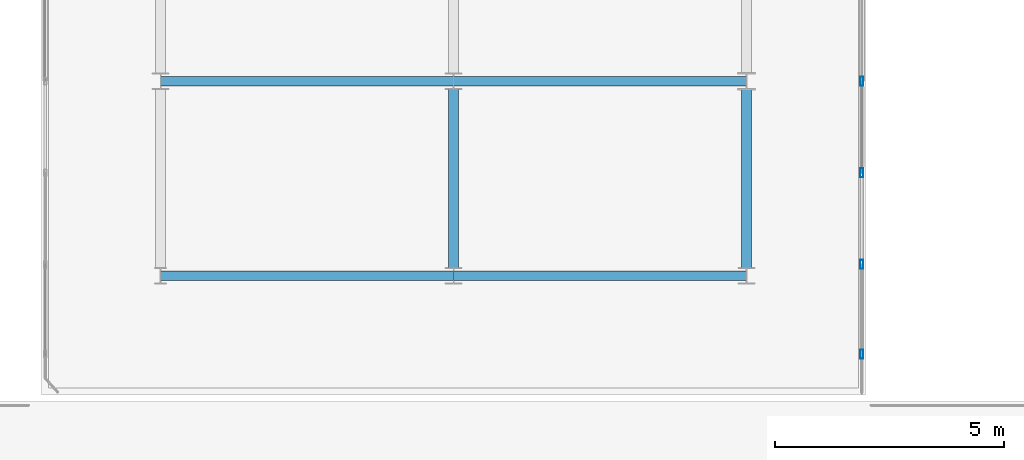
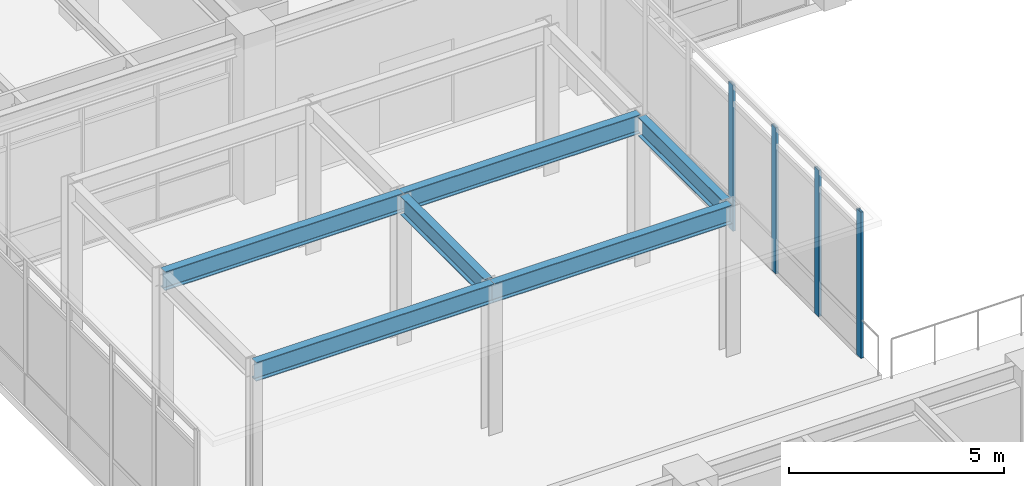
# One storey, part 85 of 200: 6 beams, 4 members, 1 element without a shape of its own.
"""IFC4 building model written with IfcOpenShell, lengths in metres."""

from ifc_helpers import new_model, si_unit, direction, frame, origin, origin_2d, place, context, subcontext, project, spatial, hollow_rectangle, i_section, extrude, material, material_profile, profile_set, type_object, element, aggregate, save


model = new_model("IFC4")

# Units and contexts
model_context = context("Model", 3, precision=1e-05, world=origin(), true_north=direction((0.0, 1.0)))
body_context = subcontext(model_context, "Body", "Model", "MODEL_VIEW")
ifc_project = project(units=[si_unit("LENGTHUNIT", "METRE"), si_unit("AREAUNIT", "SQUARE_METRE"), si_unit("VOLUMEUNIT", "CUBIC_METRE"), si_unit("PLANEANGLEUNIT", "RADIAN"), si_unit("MASSUNIT", "GRAM", prefix="KILO"), si_unit("THERMODYNAMICTEMPERATUREUNIT", "KELVIN"), si_unit("POWERUNIT", "WATT")], contexts=[model_context])

# Site, building, storey
site_placement = place(None, origin())
site = spatial("IfcSite", under=ifc_project, at=site_placement, CompositionType="ELEMENT")
building_placement = place(site_placement, origin())
building = spatial("IfcBuilding", under=site, at=building_placement, Name="Tepalcoro Natatorium and Aquatics Centre", CompositionType="ELEMENT")
storey_placement = place(building_placement, frame((0.0, 0.0, 5.39990234375)))
storey = spatial("IfcBuildingStorey", under=building, at=storey_placement, Name="L01", CompositionType="ELEMENT", Elevation=5.39990234375)

# Beams
ifc_material_1 = material(Name="Steel ASTM A992 Grade 50 (Fy 345 MPa)", Category="steel")
ifc_material_profile_1 = material_profile(ifc_material_1, i_section(OverallWidth=0.2109375, OverallDepth=0.5380859375, WebThickness=0.011962890625, FlangeThickness=0.01904296875, FilletRadius=0.013916015625, at=origin_2d()), Name="W21X73")
ifc_profile_set_1 = profile_set([ifc_material_profile_1], Name="Steel ASTM A992 Grade 50 (Fy 345 MPa)")
beam_type = type_object("IfcBeamType", Name="BM_LINK_LB1", PredefinedType="BEAM", material=ifc_profile_set_1)
for number, where, z_axis, x_axis, name in (
    (1, (109.60009765625, 74.75, 3.9560546875), (1.0, 0.0, 0.0), (0.0, 1.0, 0.0), "Seismic passage link beam LB1 (V6NE L01)"),
    (2, (116.0, 74.75, 3.9560546875), (1.0, 0.0, 0.0), (0.0, 1.0, 0.0), "Seismic passage link beam LB1 (V6NE L01)"),
    (3, (109.60009765625, 79.0, 3.9560546875), (1.0, 0.0, 0.0), (0.0, 1.0, 0.0), "Seismic passage link beam LB1 (V6NE L01)"),
    (4, (116.0, 79.0, 3.9560546875), (1.0, 0.0, 0.0), (0.0, 1.0, 0.0), "Seismic passage link beam LB1 (V6NE L01)"),
):
    element("IfcBeam", number, at=place(storey_placement, frame(where, z_axis=z_axis, x_axis=x_axis)), inside=storey, type_object=beam_type, Name=name, PredefinedType="BEAM", context=body_context, shape_type="SweptSolid", body=[
        extrude(i_section(OverallWidth=0.2109375, OverallDepth=0.5380859375, WebThickness=0.011962890625, FlangeThickness=0.01904296875, FilletRadius=0.013916015625, at=origin_2d()), origin(), (0.0, 0.0, 1.0), 6.39990234375),
    ])
beam_1_placement = place(storey_placement, frame((116.0, 74.906982421875, 3.9560546875), z_axis=(0.0, 1.0, 0.0), x_axis=(-1.0, 0.0, 0.0)))
element("IfcBeam", 5, at=beam_1_placement, inside=storey, type_object=beam_type, Name="Seismic passage link beam LB1 (V6NE L01)", PredefinedType="BEAM", context=body_context, shape_type="SweptSolid", body=[
    extrude(i_section(OverallWidth=0.2109375, OverallDepth=0.5380859375, WebThickness=0.011962890625, FlangeThickness=0.01904296875, FilletRadius=0.013916015625, at=origin_2d()), origin(), (0.0, 0.0, 1.0), 3.929931640625),
])
beam_2_placement = place(storey_placement, frame((122.39990234375, 74.9130859375, 3.9560546875), z_axis=(0.0, 1.0, 0.0), x_axis=(-1.0, 0.0, 0.0)))
element("IfcBeam", 6, at=beam_2_placement, inside=storey, type_object=beam_type, Name="Seismic passage link beam LB1 (V6NE L01)", PredefinedType="BEAM", context=body_context, shape_type="SweptSolid", body=[
    extrude(i_section(OverallWidth=0.2109375, OverallDepth=0.5380859375, WebThickness=0.011962890625, FlangeThickness=0.01904296875, FilletRadius=0.013916015625, at=origin_2d()), origin(), (0.0, 0.0, 1.0), 3.919921875),
])

# Curtain wall, members
ifc_material_2 = material(Name="Bronze-Anodised Extruded Aluminium Alloy EN AW-6063 T6", Category="aluminium")
curtain_wall_type = type_object("IfcCurtainWallType", Name="CW_LINK_150", PredefinedType="USERDEFINED", material=ifc_material_2)
curtain_wall_placement = place(storey_placement, origin())
curtain_wall = element("IfcCurtainWall", 7, at=curtain_wall_placement, inside=storey, type_object=curtain_wall_type, Name="East Court Wellness Arcade Glazed Wall E L01", ObjectType="UNITISED STOREFRONT", PredefinedType="USERDEFINED")
ifc_material_profile_2 = material_profile(ifc_material_2, hollow_rectangle(XDim=0.070068359375, YDim=0.199951171875, WallThickness=0.0048828125, at=origin_2d()), Name="AL70X200X5")
ifc_profile_set_2 = profile_set([ifc_material_profile_2], Name="Bronze-Anodised Extruded Aluminium Alloy EN AW-6063 T6")
member_type = type_object("IfcMemberType", Name="CW_MUL_70x200", PredefinedType="MULLION", material=ifc_profile_set_2)
member_1_placement = place(storey_placement, frame((124.919921875, 73.0400390625, 0.02001953125), z_axis=(0.0, 0.0, 1.0), x_axis=(1.0, 0.0, 0.0)))
member_1 = element("IfcMember", 8, at=member_1_placement, type_object=member_type, Name="CW_LINK_150 Curtain Wall Mullion", PredefinedType="MULLION", context=body_context, shape_type="SweptSolid", body=[
    extrude(hollow_rectangle(XDim=0.070068359375, YDim=0.199951171875, WallThickness=0.0048828125, at=origin_2d()), origin(), (0.0, 0.0, 1.0), 4.16015625),
])
member_2_placement = place(storey_placement, frame((124.919921875, 75.0, 0.02001953125), z_axis=(0.0, 0.0, 1.0), x_axis=(1.0, 0.0, 0.0)))
member_2 = element("IfcMember", 9, at=member_2_placement, type_object=member_type, Name="CW_LINK_150 Curtain Wall Mullion", PredefinedType="MULLION", context=body_context, shape_type="SweptSolid", body=[
    extrude(hollow_rectangle(XDim=0.070068359375, YDim=0.199951171875, WallThickness=0.0048828125, at=origin_2d()), origin(), (0.0, 0.0, 1.0), 4.16015625),
])
member_3_placement = place(storey_placement, frame((124.919921875, 77.0, 0.02001953125), z_axis=(0.0, 0.0, 1.0), x_axis=(1.0, 0.0, 0.0)))
member_3 = element("IfcMember", 10, at=member_3_placement, type_object=member_type, Name="CW_LINK_150 Curtain Wall Mullion", PredefinedType="MULLION", context=body_context, shape_type="SweptSolid", body=[
    extrude(hollow_rectangle(XDim=0.070068359375, YDim=0.199951171875, WallThickness=0.0048828125, at=origin_2d()), origin(), (0.0, 0.0, 1.0), 4.16015625),
])
member_4_placement = place(storey_placement, frame((124.919921875, 79.0, 0.02001953125), z_axis=(0.0, 0.0, 1.0), x_axis=(1.0, 0.0, 0.0)))
member_4 = element("IfcMember", 11, at=member_4_placement, type_object=member_type, Name="CW_LINK_150 Curtain Wall Mullion", PredefinedType="MULLION", context=body_context, shape_type="SweptSolid", body=[
    extrude(hollow_rectangle(XDim=0.070068359375, YDim=0.199951171875, WallThickness=0.0048828125, at=origin_2d()), origin(), (0.0, 0.0, 1.0), 4.16015625),
])
aggregate(curtain_wall, [member_1, member_2, member_3, member_4])

save(model, "model.ifc")
